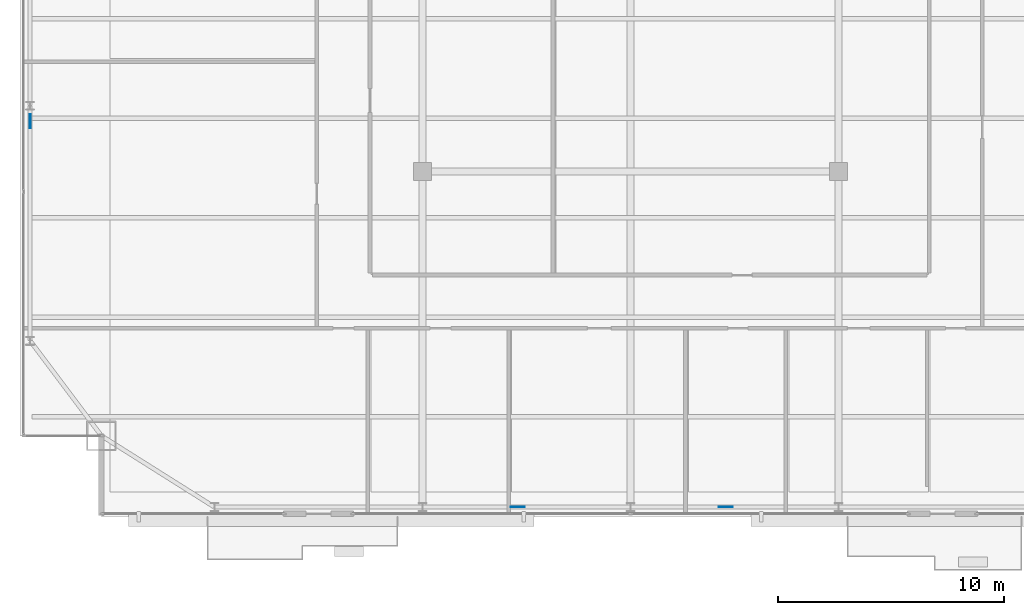
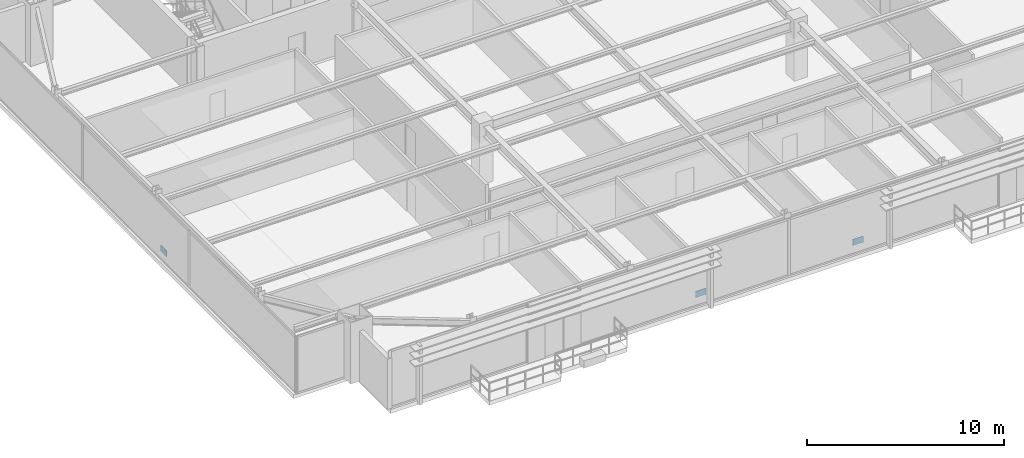
# One storey, part 24 of 30: 3 plates.
"""IFC4 building model written with IfcOpenShell, lengths in metres."""

from ifc_helpers import new_model, si_unit, direction, frame, origin, origin_2d, place, context, subcontext, project, spatial, rectangle, extrude, source, transform, mapped, material, layer, layer_set, type_object, type_shapes, element, save


model = new_model("IFC4")

# Units and contexts
model_context = context("Model", 3, precision=1e-05, world=origin(), true_north=direction((0.0, 1.0)))
body_context = subcontext(model_context, "Body", "Model", "MODEL_VIEW")
ifc_project = project(units=[si_unit("LENGTHUNIT", "METRE"), si_unit("AREAUNIT", "SQUARE_METRE"), si_unit("VOLUMEUNIT", "CUBIC_METRE"), si_unit("PLANEANGLEUNIT", "RADIAN"), si_unit("MASSUNIT", "GRAM", prefix="KILO")], contexts=[model_context])

# Site, building, storey
site_placement = place(None, origin())
site = spatial("IfcSite", under=ifc_project, at=site_placement, CompositionType="ELEMENT")
building_placement = place(site_placement, origin())
building = spatial("IfcBuilding", under=site, at=building_placement, Name="Varnel Quay Broadcast Tower", CompositionType="ELEMENT")
storey_placement = place(building_placement, frame((0.0, 0.0, 168.60009765625)))
storey = spatial("IfcBuildingStorey", under=building, at=storey_placement, Name="L41", CompositionType="ELEMENT", Elevation=168.60009765625)

# Plates
ifc_material = material(Name="Structural Steel CSA G40.21 350WT", Category="steel")
ifc_layer = layer(ifc_material, 0.031982421875, Name="Structural Steel CSA G40.21 350WT")
ifc_layer_set = layer_set([ifc_layer], Name="Structural Steel CSA G40.21 350WT")
plate_type = type_object("IfcPlateType", Name="Plate_EndCap", PredefinedType="USERDEFINED", material=ifc_layer_set)
shared_shape = source(origin(), body_context, "Body", "SweptSolid", [
    extrude(rectangle(XDim=0.6201171875, YDim=0.031982421875, at=origin_2d()), origin(), (0.0, 0.0, 1.0), 0.3798828125),
])
type_shapes(plate_type, [shared_shape])
for number, where, z_axis, x_axis, name in (
    (1, (29.010986328125, 7.64990234375, 0.3154296875), (0.0, 0.0, 1.0), (1.0, 0.0, 0.0), "Zone 3 Mega-Brace S-C1T2 Diag B2 End Connection Plate P0"),
    (2, (38.211181640625, 7.64990234375, 0.3154296875), (0.0, 0.0, 1.0), (1.0, 0.0, 0.0), "Zone 3 Mega-Brace S-C2T2 Diag B2 End Connection Plate P0"),
    (3, (7.449951171875, 24.716064453125, 0.107666015625), (0.0, 0.0, 1.0), (0.0, 1.0, 0.0), "Zone 3 Mega-Brace W-FT2 Diag B2 End Connection Plate P0"),
):
    element("IfcPlate", number, at=place(storey_placement, frame(where, z_axis=z_axis, x_axis=x_axis)), inside=storey, type_object=plate_type, Name=name, ObjectType="CAP_PLATE", PredefinedType="USERDEFINED", context=body_context, shape_type="MappedRepresentation", body=[
        mapped(shared_shape, transform((0.0, 0.0, 0.0), x_axis=(1.0, 0.0, 0.0), y_axis=(0.0, 1.0, 0.0), z_axis=(0.0, 0.0, 1.0), scale=1.0)),
    ])

save(model, "model.ifc")
